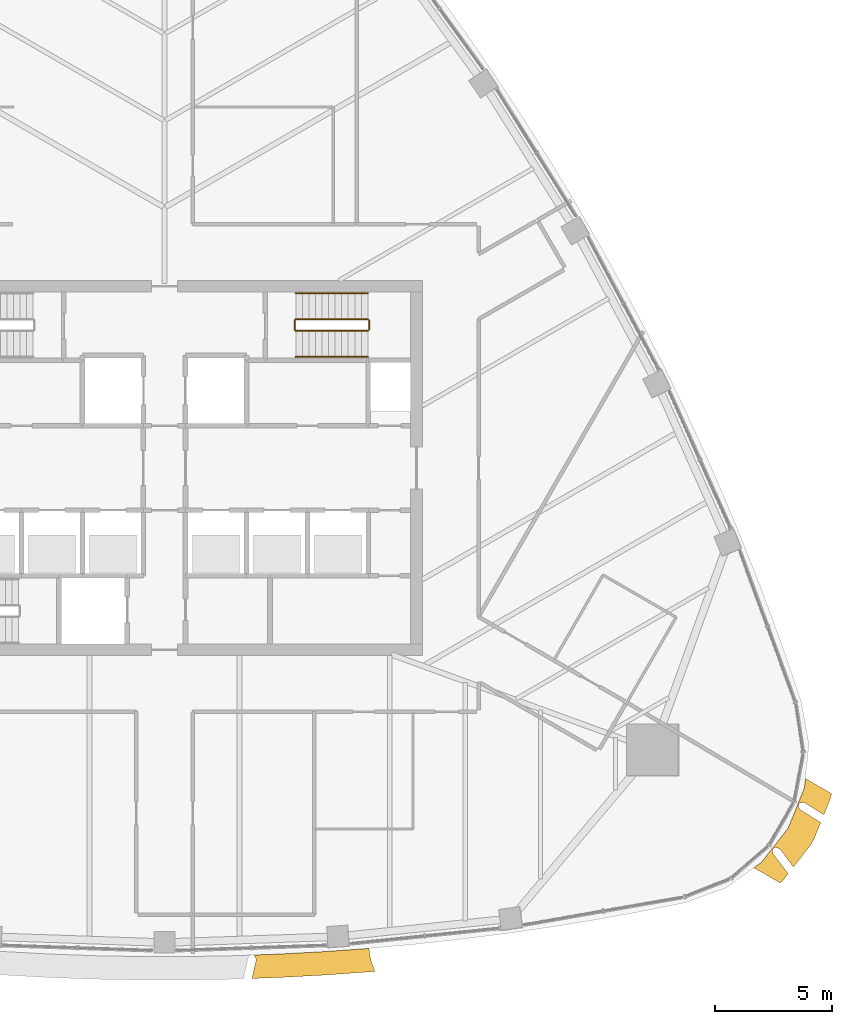
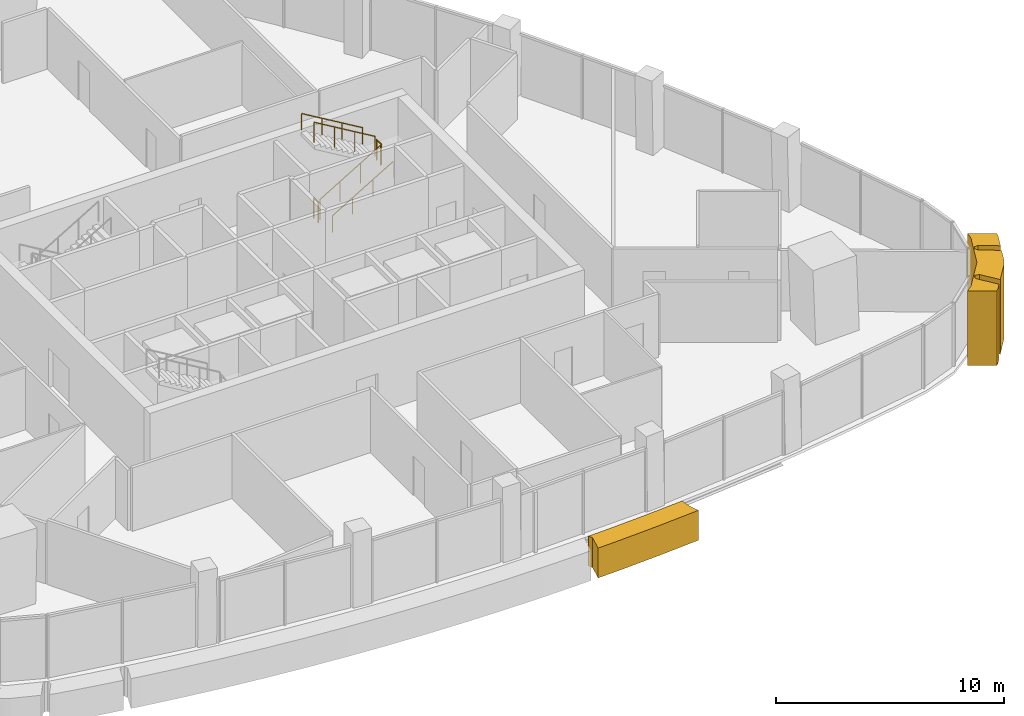
# One storey, part 13 of 15: 6 railings, 2 coverings.
"""IFC4 building model written with IfcOpenShell, lengths in metres."""

from ifc_helpers import new_model, si_unit, direction, frame, origin, origin_2d, place, context, subcontext, project, spatial, polyline, circle, outline, extrude, material, layer, layer_set, type_object, element, save


model = new_model("IFC4")

# Units and contexts
model_context = context("Model", 3, precision=1e-05, world=origin(), true_north=direction((0.0, 1.0)))
body_context = subcontext(model_context, "Body", "Model", "MODEL_VIEW")
ifc_project = project(units=[si_unit("LENGTHUNIT", "METRE"), si_unit("AREAUNIT", "SQUARE_METRE"), si_unit("VOLUMEUNIT", "CUBIC_METRE"), si_unit("PLANEANGLEUNIT", "RADIAN"), si_unit("MASSUNIT", "GRAM", prefix="KILO")], contexts=[model_context])

# Site, building, storey
site_placement = place(None, origin())
site = spatial("IfcSite", under=ifc_project, at=site_placement, CompositionType="ELEMENT")
building_placement = place(site_placement, origin())
building = spatial("IfcBuilding", under=site, at=building_placement, Name="Sierra Prisma Convention Tower", CompositionType="ELEMENT")
storey_placement = place(building_placement, frame((0.0, 0.0, 283.0)))
storey = spatial("IfcBuildingStorey", under=building, at=storey_placement, Name="L64", CompositionType="ELEMENT", Elevation=283.0)

# Coverings
ifc_material_1 = material(Name="Aluminium composite bronze anodised", Category="aluminium")
ifc_layer_1 = layer(ifc_material_1, 1.199951171875)
ifc_layer_set_1 = layer_set([ifc_layer_1], Name="Bronze corner pier")
covering_type_1 = type_object("IfcCoveringType", Name="Bronze corner pier", PredefinedType="CLADDING", material=ifc_layer_set_1)
covering_1_placement = place(storey_placement, frame((0.0, 0.0, -0.60009765625)))
element("IfcCovering", 1, at=covering_1_placement, inside=storey, type_object=covering_type_1, Name="Corner pier SE L64.1", PredefinedType="CLADDING", context=body_context, shape_type="SweptSolid", body=[
    extrude(outline(polyline([(27.300537109375, -14.279052734375), (27.296142578125, -14.27783203125), (27.29150390625, -14.277099609375), (27.286865234375, -14.277099609375), (27.2822265625, -14.277099609375), (27.123291015625, -14.2919921875), (27.118408203125, -14.292724609375), (27.11376953125, -14.2939453125), (27.10888671875, -14.295654296875), (27.1044921875, -14.297607421875), (27.10009765625, -14.30029296875), (27.09619140625, -14.30322265625), (27.092529296875, -14.306640625), (27.089111328125, -14.310302734375), (27.086181640625, -14.314208984375), (27.083740234375, -14.318603515625), (27.081787109375, -14.322998046875), (27.044189453125, -14.415771484375), (27.04248046875, -14.420654296875), (27.04150390625, -14.42578125), (27.040771484375, -14.430908203125), (27.040771484375, -14.43603515625), (27.041015625, -14.441162109375), (27.0419921875, -14.4462890625), (27.04345703125, -14.451416015625), (27.04541015625, -14.4560546875), (27.048095703125, -14.460693359375), (27.11181640625, -14.565185546875), (27.114501953125, -14.569091796875), (27.1171875, -14.572509765625), (27.12060546875, -14.575927734375), (27.124267578125, -14.578857421875), (27.1279296875, -14.58154296875), (27.99951171875, -15.12548828125), (27.722412109375, -15.81201171875), (27.5546875, -16.102294921875), (26.832275390625, -17.026123046875), (26.24951171875, -16.251953125), (26.246337890625, -16.248291015625), (26.242919921875, -16.24462890625), (26.239013671875, -16.24169921875), (26.23486328125, -16.239013671875), (26.230224609375, -16.236572265625), (26.2255859375, -16.234619140625), (26.220947265625, -16.2333984375), (26.057373046875, -16.1953125), (26.052734375, -16.1943359375), (26.048095703125, -16.194091796875), (26.043212890625, -16.194091796875), (26.03857421875, -16.194580078125), (26.033935546875, -16.1953125), (26.029296875, -16.19677734375), (26.02490234375, -16.198486328125), (26.020751953125, -16.20068359375), (26.016845703125, -16.203369140625), (26.01318359375, -16.206298828125), (26.009765625, -16.20947265625), (26.006591796875, -16.213134765625), (25.945068359375, -16.2919921875), (25.942138671875, -16.2958984375), (25.939697265625, -16.30029296875), (25.937744140625, -16.3046875), (25.936279296875, -16.3095703125), (25.93505859375, -16.314208984375), (25.9345703125, -16.319091796875), (25.934326171875, -16.32421875), (25.934814453125, -16.3291015625), (25.935791015625, -16.333984375), (25.961181640625, -16.443603515625), (25.962646484375, -16.44873046875), (25.964599609375, -16.45361328125), (25.967041015625, -16.4580078125), (25.969970703125, -16.46240234375), (26.60888671875, -17.3115234375), (26.40869140625, -17.5673828125), (26.26611328125, -17.705078125), (25.145751953125, -17.058349609375), (25.463623046875, -16.828125), (26.609619140625, -15.363037109375), (27.305419921875, -13.63818359375), (27.345703125, -13.247802734375), (28.466064453125, -13.89453125), (28.418212890625, -14.0869140625), (28.13232421875, -14.7958984375), (27.313232421875, -14.28466796875), (27.30908203125, -14.2822265625), (27.304931640625, -14.280517578125), (27.300537109375, -14.279052734375)])), origin(), (0.0, 0.0, 1.0), 4.0),
])
ifc_material_2 = material(Name="Aluminium composite bronze anodised", Category="aluminium")
ifc_layer_2 = layer(ifc_material_2, 1.0)
ifc_layer_set_2 = layer_set([ifc_layer_2], Name="Bronze spandrel band")
covering_type_2 = type_object("IfcCoveringType", Name="Bronze spandrel band", PredefinedType="CLADDING", material=ifc_layer_set_2)
covering_2_placement = place(storey_placement, frame((0.0, 0.0, -1.60009765625)))
element("IfcCovering", 2, at=covering_2_placement, inside=storey, type_object=covering_type_2, Name="Spandrel band L64.6", PredefinedType="CLADDING", context=body_context, shape_type="SweptSolid", body=[
    extrude(outline(polyline([(3.9091796875, -20.951171875), (3.8330078125, -20.801513671875), (3.830810546875, -20.79736328125), (3.828125, -20.79345703125), (3.824951171875, -20.789794921875), (3.821533203125, -20.78662109375), (3.81787109375, -20.78369140625), (3.81396484375, -20.781005859375), (3.809814453125, -20.77880859375), (3.806396484375, -20.77734375), (4.860595703125, -20.739501953125), (6.802490234375, -20.635009765625), (8.72802734375, -20.49658203125), (8.740478515625, -20.617919921875), (8.7783203125, -20.86279296875), (8.83984375, -21.10302734375), (8.924560546875, -21.336181640625), (8.992431640625, -21.477294921875), (8.831787109375, -21.49169921875), (8.81396484375, -21.4931640625), (6.8740234375, -21.632568359375), (6.856201171875, -21.633544921875), (4.914306640625, -21.73828125), (4.896240234375, -21.739013671875), (3.73046875, -21.78076171875), (3.91357421875, -20.985107421875), (3.914306640625, -20.980224609375), (3.914794921875, -20.97509765625), (3.91455078125, -20.97021484375), (3.9140625, -20.96533203125), (3.912841796875, -20.96044921875), (3.911376953125, -20.955810546875), (3.9091796875, -20.951171875)])), origin(), (0.0, 0.0, 1.0), 1.60009765625),
])

# Railings
ifc_material_3 = material(Name="Stainless steel", Category="steel")
railing_type_1 = type_object("IfcRailingType", Name="Exit stair handrail", PredefinedType="HANDRAIL", material=ifc_material_3)
railing_1_placement = place(storey_placement, frame((5.60009765625, 4.75, 0.166748046875)))
element("IfcRailing", 3, at=railing_1_placement, inside=storey, type_object=railing_type_1, Name="L64 S4 stair handrail 1", PredefinedType="HANDRAIL", context=body_context, shape_type="SweptSolid", body=[
    extrude(circle(Radius=0.02392578125, at=origin_2d()), frame((0.0, 0.0, 0.8759765625), z_axis=(0.859290745958, 0.0, 0.51148745235), x_axis=(0.0, 1.0, 0.0)), (0.0, 0.0, 1.0), 3.584228515625),
    extrude(circle(Radius=0.02099609375, at=origin_2d()), origin(), (0.0, 0.0, 1.0), 0.851806640625),
    extrude(circle(Radius=0.02099609375, at=origin_2d()), frame((1.026611328125, 0.0, 0.611083984375)), (0.0, 0.0, 1.0), 0.851806640625),
    extrude(circle(Radius=0.02099609375, at=origin_2d()), frame((2.05322265625, 0.0, 1.22216796875)), (0.0, 0.0, 1.0), 0.851806640625),
    extrude(circle(Radius=0.02099609375, at=origin_2d()), frame((3.079833984375, 0.0, 1.833251953125)), (0.0, 0.0, 1.0), 0.851806640625),
])
railing_2_placement = place(storey_placement, frame((8.679931640625, 7.449951171875, 2.166748046875)))
element("IfcRailing", 4, at=railing_2_placement, inside=storey, type_object=railing_type_1, Name="L64 S4 stair handrail 2", PredefinedType="HANDRAIL", context=body_context, shape_type="SweptSolid", body=[
    extrude(circle(Radius=0.02392578125, at=origin_2d()), frame((0.0, 0.0, 0.8759765625), z_axis=(-0.859290745958, 0.0, 0.51148745235), x_axis=(0.0, -1.0, 0.0)), (0.0, 0.0, 1.0), 3.584228515625),
    extrude(circle(Radius=0.02099609375, at=origin_2d()), origin(), (0.0, 0.0, 1.0), 0.851806640625),
    extrude(circle(Radius=0.02099609375, at=origin_2d()), frame((-1.026611328125, 0.0, 0.611083984375)), (0.0, 0.0, 1.0), 0.851806640625),
    extrude(circle(Radius=0.02099609375, at=origin_2d()), frame((-2.05322265625, 0.0, 1.22216796875)), (0.0, 0.0, 1.0), 0.851806640625),
    extrude(circle(Radius=0.02099609375, at=origin_2d()), frame((-3.079833984375, 0.0, 1.833251953125)), (0.0, 0.0, 1.0), 0.851806640625),
])
ifc_material_4 = material(Name="Stainless steel", Category="steel")
railing_type_2 = type_object("IfcRailingType", Name="Stair guard 1100", PredefinedType="GUARDRAIL", material=ifc_material_4)
railing_3_placement = place(storey_placement, frame((5.60009765625, 5.85009765625, 0.166748046875)))
element("IfcRailing", 5, at=railing_3_placement, inside=storey, type_object=railing_type_2, Name="L64 S4 stair guard 1", PredefinedType="GUARDRAIL", context=body_context, shape_type="SweptSolid", body=[
    extrude(circle(Radius=0.02392578125, at=origin_2d()), frame((0.0, 0.0, 1.076171875), z_axis=(0.859290745958, 0.0, 0.51148745235), x_axis=(0.0, 1.0, 0.0)), (0.0, 0.0, 1.0), 3.584228515625),
    extrude(circle(Radius=0.02099609375, at=origin_2d()), origin(), (0.0, 0.0, 1.0), 1.052001953125),
    extrude(circle(Radius=0.02099609375, at=origin_2d()), frame((1.026611328125, 0.0, 0.611083984375)), (0.0, 0.0, 1.0), 1.052001953125),
    extrude(circle(Radius=0.02099609375, at=origin_2d()), frame((2.05322265625, 0.0, 1.22216796875)), (0.0, 0.0, 1.0), 1.052001953125),
    extrude(circle(Radius=0.02099609375, at=origin_2d()), frame((3.079833984375, 0.0, 1.833251953125)), (0.0, 0.0, 1.0), 1.052001953125),
])
railing_4_placement = place(storey_placement, frame((8.72998046875, 5.89990234375, 2.0)))
element("IfcRailing", 6, at=railing_4_placement, inside=storey, type_object=railing_type_2, Name="L64 S4 stair guard 2", PredefinedType="GUARDRAIL", context=body_context, shape_type="SweptSolid", body=[
    extrude(circle(Radius=0.02392578125, at=origin_2d()), frame((0.0, 0.0, 1.076171875), z_axis=(0.0, 1.0, 0.0), x_axis=(-1.0, 0.0, 0.0)), (0.0, 0.0, 1.0), 0.400146484375),
    extrude(circle(Radius=0.02099609375, at=origin_2d()), origin(), (0.0, 0.0, 1.0), 1.052001953125),
    extrude(circle(Radius=0.02099609375, at=origin_2d()), frame((0.0, 0.400146484375, 0.0)), (0.0, 0.0, 1.0), 1.052001953125),
])
railing_5_placement = place(storey_placement, frame((8.679931640625, 6.35009765625, 2.166748046875)))
element("IfcRailing", 7, at=railing_5_placement, inside=storey, type_object=railing_type_2, Name="L64 S4 stair guard 3", PredefinedType="GUARDRAIL", context=body_context, shape_type="SweptSolid", body=[
    extrude(circle(Radius=0.02392578125, at=origin_2d()), frame((0.0, 0.0, 1.076171875), z_axis=(-0.859290745958, 0.0, 0.51148745235), x_axis=(0.0, -1.0, 0.0)), (0.0, 0.0, 1.0), 3.584228515625),
    extrude(circle(Radius=0.02099609375, at=origin_2d()), origin(), (0.0, 0.0, 1.0), 1.052001953125),
    extrude(circle(Radius=0.02099609375, at=origin_2d()), frame((-1.026611328125, 0.0, 0.611083984375)), (0.0, 0.0, 1.0), 1.052001953125),
    extrude(circle(Radius=0.02099609375, at=origin_2d()), frame((-2.05322265625, 0.0, 1.22216796875)), (0.0, 0.0, 1.0), 1.052001953125),
    extrude(circle(Radius=0.02099609375, at=origin_2d()), frame((-3.079833984375, 0.0, 1.833251953125)), (0.0, 0.0, 1.0), 1.052001953125),
])
railing_6_placement = place(storey_placement, frame((5.550048828125, 5.89990234375, 0.0)))
element("IfcRailing", 8, at=railing_6_placement, inside=storey, type_object=railing_type_2, Name="L64 S4 stair guard 4", PredefinedType="GUARDRAIL", context=body_context, shape_type="SweptSolid", body=[
    extrude(circle(Radius=0.02392578125, at=origin_2d()), frame((0.0, 0.0, 1.076171875), z_axis=(0.0, 1.0, 0.0), x_axis=(-1.0, 0.0, 0.0)), (0.0, 0.0, 1.0), 0.400146484375),
    extrude(circle(Radius=0.02099609375, at=origin_2d()), origin(), (0.0, 0.0, 1.0), 1.052001953125),
    extrude(circle(Radius=0.02099609375, at=origin_2d()), frame((0.0, 0.400146484375, 0.0)), (0.0, 0.0, 1.0), 1.052001953125),
])

save(model, "model.ifc")
